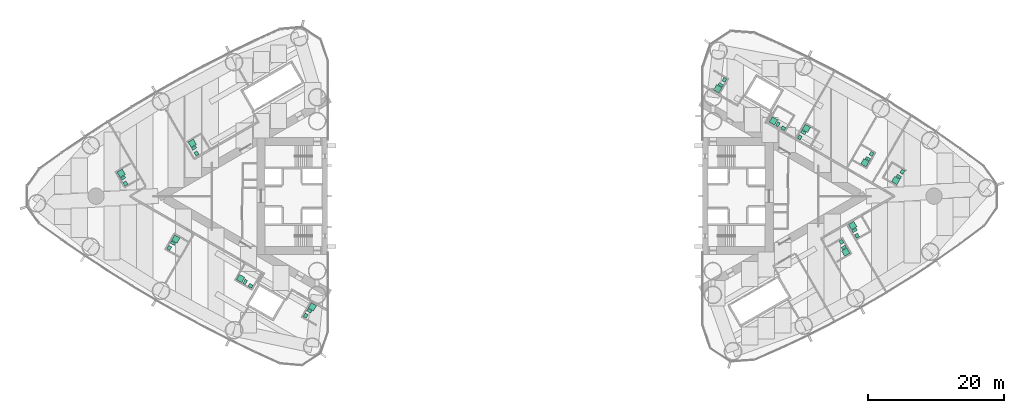
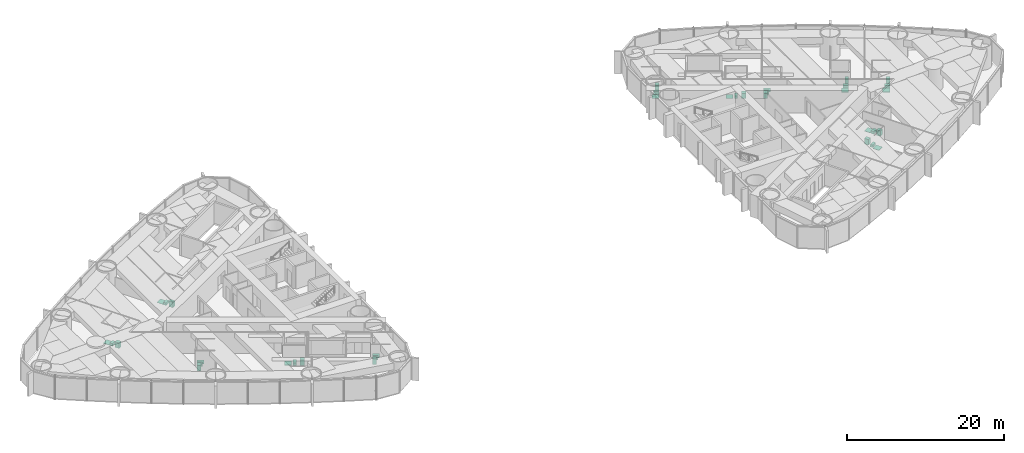
# One storey, part 18 of 18: 16 sanitary terminals.
"""IFC4 building model written with IfcOpenShell, lengths in metres."""

from ifc_helpers import new_model, si_unit, direction, frame, origin, origin_2d, place, context, subcontext, project, spatial, rectangle, extrude, material, type_object, element, save


model = new_model("IFC4")

# Units and contexts
model_context = context("Model", 3, precision=1e-05, world=origin(), true_north=direction((0.0, 1.0)))
body_context = subcontext(model_context, "Body", "Model", "MODEL_VIEW")
ifc_project = project(units=[si_unit("LENGTHUNIT", "METRE"), si_unit("AREAUNIT", "SQUARE_METRE"), si_unit("VOLUMEUNIT", "CUBIC_METRE"), si_unit("PLANEANGLEUNIT", "RADIAN"), si_unit("MASSUNIT", "GRAM", prefix="KILO")], contexts=[model_context])

# Site, building, storey
site_placement = place(None, origin())
site = spatial("IfcSite", under=ifc_project, at=site_placement, CompositionType="ELEMENT")
building_placement = place(site_placement, origin())
building = spatial("IfcBuilding", under=site, at=building_placement, Name="Lancet Gate Hotel", CompositionType="ELEMENT")
storey_placement = place(building_placement, frame((0.0, 0.0, 129.10009765625)))
storey = spatial("IfcBuildingStorey", under=building, at=storey_placement, Name="L34", CompositionType="ELEMENT", Elevation=129.10009765625)

# Sanitary terminals
ifc_material_1 = material(Name="Vitreous china sanitary ware")
sanitary_terminal_type_1 = type_object("IfcSanitaryTerminalType", Name="En-suite sanitary set (shower, WC, basin)", PredefinedType="USERDEFINED", material=ifc_material_1)
sanitary_terminal_1_placement = place(storey_placement, frame((-57.81689453125, 3.355224609375, 0.0), z_axis=(0.0, 0.0, 1.0), x_axis=(1.0, 0.0, 0.0)))
element("IfcSanitaryTerminal", 1, at=sanitary_terminal_1_placement, inside=storey, type_object=sanitary_terminal_type_1, Name="En-suite sanitary set (shower, WC, basin) 3404", ObjectType="EN-SUITE SANITARY SET", PredefinedType="USERDEFINED", context=body_context, shape_type="SweptSolid", body=[
    extrude(rectangle(XDim=0.89990234375, YDim=0.89990234375, at=origin_2d()), frame((0.0, 0.0, 0.0), z_axis=(0.0, 0.0, 1.0), x_axis=(-0.5, 0.866025403784, 0.0)), (0.0, 0.0, 1.0), 0.050048828125),
    extrude(rectangle(XDim=0.39990234375, YDim=0.699951171875, at=origin_2d()), frame((0.2783203125, -0.68212890625, 0.0), z_axis=(0.0, 0.0, 1.0), x_axis=(-0.5, 0.866025403784, 0.0)), (0.0, 0.0, 1.0), 0.39990234375),
    extrude(rectangle(XDim=0.60009765625, YDim=0.5, at=origin_2d()), frame((0.6318359375, -1.494384765625, 0.0), z_axis=(0.0, 0.0, 1.0), x_axis=(-0.5, 0.866025403784, 0.0)), (0.0, 0.0, 1.0), 0.85009765625),
])
sanitary_terminal_2_placement = place(storey_placement, frame((-49.785888671875, -6.305908203125, 0.0), z_axis=(0.0, 0.0, 1.0), x_axis=(1.0, 0.0, 0.0)))
element("IfcSanitaryTerminal", 2, at=sanitary_terminal_2_placement, inside=storey, type_object=sanitary_terminal_type_1, Name="En-suite sanitary set (shower, WC, basin) 3405", ObjectType="EN-SUITE SANITARY SET", PredefinedType="USERDEFINED", context=body_context, shape_type="SweptSolid", body=[
    extrude(rectangle(XDim=0.89990234375, YDim=0.89990234375, at=origin_2d()), frame((0.0, 0.0, 0.0), z_axis=(0.0, 0.0, 1.0), x_axis=(0.5, 0.866025403784, 0.0)), (0.0, 0.0, 1.0), 0.050048828125),
    extrude(rectangle(XDim=0.39990234375, YDim=0.699951171875, at=origin_2d()), frame((-0.45166015625, -0.582275390625, 0.0), z_axis=(0.0, 0.0, 1.0), x_axis=(0.5, 0.866025403784, 0.0)), (0.0, 0.0, 1.0), 0.39990234375),
    extrude(rectangle(XDim=0.60009765625, YDim=0.5, at=origin_2d()), frame((-0.978271484375, -1.29443359375, 0.0), z_axis=(0.0, 0.0, 1.0), x_axis=(0.5, 0.866025403784, 0.0)), (0.0, 0.0, 1.0), 0.85009765625),
])
sanitary_terminal_3_placement = place(storey_placement, frame((-47.39111328125, 7.758056640625, 0.0), z_axis=(0.0, 0.0, 1.0), x_axis=(1.0, 0.0, 0.0)))
element("IfcSanitaryTerminal", 3, at=sanitary_terminal_3_placement, inside=storey, type_object=sanitary_terminal_type_1, Name="En-suite sanitary set (shower, WC, basin) 3402", ObjectType="EN-SUITE SANITARY SET", PredefinedType="USERDEFINED", context=body_context, shape_type="SweptSolid", body=[
    extrude(rectangle(XDim=0.89990234375, YDim=0.89990234375, at=origin_2d()), frame((0.0, 0.0, 0.0), z_axis=(0.0, 0.0, 1.0), x_axis=(-0.5, 0.866025403784, 0.0)), (0.0, 0.0, 1.0), 0.050048828125),
    extrude(rectangle(XDim=0.39990234375, YDim=0.699951171875, at=origin_2d()), frame((0.2783203125, -0.682373046875, 0.0), z_axis=(0.0, 0.0, 1.0), x_axis=(-0.5, 0.866025403784, 0.0)), (0.0, 0.0, 1.0), 0.39990234375),
    extrude(rectangle(XDim=0.60009765625, YDim=0.5, at=origin_2d()), frame((0.6318359375, -1.494384765625, 0.0), z_axis=(0.0, 0.0, 1.0), x_axis=(-0.5, 0.866025403784, 0.0)), (0.0, 0.0, 1.0), 0.85009765625),
])
sanitary_terminal_4_placement = place(storey_placement, frame((-29.751708984375, -16.256103515625, 0.0), z_axis=(0.0, 0.0, 1.0), x_axis=(1.0, 0.0, 0.0)))
element("IfcSanitaryTerminal", 4, at=sanitary_terminal_4_placement, inside=storey, type_object=sanitary_terminal_type_1, Name="En-suite sanitary set (shower, WC, basin) 3408", ObjectType="EN-SUITE SANITARY SET", PredefinedType="USERDEFINED", context=body_context, shape_type="SweptSolid", body=[
    extrude(rectangle(XDim=0.89990234375, YDim=0.89990234375, at=origin_2d()), frame((0.0, 0.0, 0.0), z_axis=(0.0, 0.0, 1.0), x_axis=(0.5, 0.866025403784, 0.0)), (0.0, 0.0, 1.0), 0.050048828125),
    extrude(rectangle(XDim=0.39990234375, YDim=0.699951171875, at=origin_2d()), frame((-0.45166015625, -0.582275390625, 0.0), z_axis=(0.0, 0.0, 1.0), x_axis=(0.5, 0.866025403784, 0.0)), (0.0, 0.0, 1.0), 0.39990234375),
    extrude(rectangle(XDim=0.60009765625, YDim=0.5, at=origin_2d()), frame((-0.978271484375, -1.29443359375, 0.0), z_axis=(0.0, 0.0, 1.0), x_axis=(0.5, 0.866025403784, 0.0)), (0.0, 0.0, 1.0), 0.85009765625),
])
sanitary_terminal_5_placement = place(storey_placement, frame((48.534912109375, -8.214111328125, 0.0), z_axis=(0.0, 0.0, 1.0), x_axis=(1.0, 0.0, 0.0)))
element("IfcSanitaryTerminal", 5, at=sanitary_terminal_5_placement, inside=storey, type_object=sanitary_terminal_type_1, Name="En-suite sanitary set (shower, WC, basin) 3455", ObjectType="EN-SUITE SANITARY SET", PredefinedType="USERDEFINED", context=body_context, shape_type="SweptSolid", body=[
    extrude(rectangle(XDim=0.89990234375, YDim=0.89990234375, at=origin_2d()), frame((0.0, 0.0, 0.0), z_axis=(0.0, 0.0, 1.0), x_axis=(0.5, -0.866025403784, 0.0)), (0.0, 0.0, 1.0), 0.050048828125),
    extrude(rectangle(XDim=0.39990234375, YDim=0.699951171875, at=origin_2d()), frame((-0.2783203125, 0.68212890625, 0.0), z_axis=(0.0, 0.0, 1.0), x_axis=(0.5, -0.866025403784, 0.0)), (0.0, 0.0, 1.0), 0.39990234375),
    extrude(rectangle(XDim=0.60009765625, YDim=0.5, at=origin_2d()), frame((-0.6318359375, 1.494384765625, 0.0), z_axis=(0.0, 0.0, 1.0), x_axis=(0.5, -0.866025403784, 0.0)), (0.0, 0.0, 1.0), 0.85009765625),
])
sanitary_terminal_6_placement = place(storey_placement, frame((49.56201171875, -4.318603515625, 0.0), z_axis=(0.0, 0.0, 1.0), x_axis=(1.0, 0.0, 0.0)))
element("IfcSanitaryTerminal", 6, at=sanitary_terminal_6_placement, inside=storey, type_object=sanitary_terminal_type_1, Name="En-suite sanitary set (shower, WC, basin) 3456", ObjectType="EN-SUITE SANITARY SET", PredefinedType="USERDEFINED", context=body_context, shape_type="SweptSolid", body=[
    extrude(rectangle(XDim=0.89990234375, YDim=0.89990234375, at=origin_2d()), frame((0.0, 0.0, 0.0), z_axis=(0.0, 0.0, 1.0), x_axis=(-0.5, 0.866025403784, 0.0)), (0.0, 0.0, 1.0), 0.050048828125),
    extrude(rectangle(XDim=0.39990234375, YDim=0.699951171875, at=origin_2d()), frame((0.278564453125, -0.682373046875, 0.0), z_axis=(0.0, 0.0, 1.0), x_axis=(-0.5, 0.866025403784, 0.0)), (0.0, 0.0, 1.0), 0.39990234375),
    extrude(rectangle(XDim=0.60009765625, YDim=0.5, at=origin_2d()), frame((0.6318359375, -1.494384765625, 0.0), z_axis=(0.0, 0.0, 1.0), x_axis=(-0.5, 0.866025403784, 0.0)), (0.0, 0.0, 1.0), 0.85009765625),
])
sanitary_terminal_7_placement = place(storey_placement, frame((55.8798828125, 2.28759765625, 0.0), z_axis=(0.0, 0.0, 1.0), x_axis=(1.0, 0.0, 0.0)))
element("IfcSanitaryTerminal", 7, at=sanitary_terminal_7_placement, inside=storey, type_object=sanitary_terminal_type_1, Name="En-suite sanitary set (shower, WC, basin) 3458", ObjectType="EN-SUITE SANITARY SET", PredefinedType="USERDEFINED", context=body_context, shape_type="SweptSolid", body=[
    extrude(rectangle(XDim=0.89990234375, YDim=0.89990234375, at=origin_2d()), frame((0.0, 0.0, 0.0), z_axis=(0.0, 0.0, 1.0), x_axis=(-0.5, -0.866025403784, 0.0)), (0.0, 0.0, 1.0), 0.050048828125),
    extrude(rectangle(XDim=0.39990234375, YDim=0.699951171875, at=origin_2d()), frame((0.45166015625, 0.582275390625, 0.0), z_axis=(0.0, 0.0, 1.0), x_axis=(-0.5, -0.866025403784, 0.0)), (0.0, 0.0, 1.0), 0.39990234375),
    extrude(rectangle(XDim=0.60009765625, YDim=0.5, at=origin_2d()), frame((0.978271484375, 1.29443359375, 0.0), z_axis=(0.0, 0.0, 1.0), x_axis=(-0.5, -0.866025403784, 0.0)), (0.0, 0.0, 1.0), 0.85009765625),
])
sanitary_terminal_8_placement = place(storey_placement, frame((51.353271484375, 4.901123046875, 0.0), z_axis=(0.0, 0.0, 1.0), x_axis=(1.0, 0.0, 0.0)))
element("IfcSanitaryTerminal", 8, at=sanitary_terminal_8_placement, inside=storey, type_object=sanitary_terminal_type_1, Name="En-suite sanitary set (shower, WC, basin) 3459", ObjectType="EN-SUITE SANITARY SET", PredefinedType="USERDEFINED", context=body_context, shape_type="SweptSolid", body=[
    extrude(rectangle(XDim=0.89990234375, YDim=0.89990234375, at=origin_2d()), frame((0.0, 0.0, 0.0), z_axis=(0.0, 0.0, 1.0), x_axis=(-0.5, -0.866025403784, 0.0)), (0.0, 0.0, 1.0), 0.050048828125),
    extrude(rectangle(XDim=0.39990234375, YDim=0.699951171875, at=origin_2d()), frame((0.45166015625, 0.582275390625, 0.0), z_axis=(0.0, 0.0, 1.0), x_axis=(-0.5, -0.866025403784, 0.0)), (0.0, 0.0, 1.0), 0.39990234375),
    extrude(rectangle(XDim=0.60009765625, YDim=0.5, at=origin_2d()), frame((0.978271484375, 1.294189453125, 0.0), z_axis=(0.0, 0.0, 1.0), x_axis=(-0.5, -0.866025403784, 0.0)), (0.0, 0.0, 1.0), 0.85009765625),
])
sanitary_terminal_9_placement = place(storey_placement, frame((42.763427734375, 9.9296875, 0.0), z_axis=(0.0, 0.0, 1.0), x_axis=(1.0, 0.0, 0.0)))
element("IfcSanitaryTerminal", 9, at=sanitary_terminal_9_placement, inside=storey, type_object=sanitary_terminal_type_1, Name="En-suite sanitary set (shower, WC, basin) 3460", ObjectType="EN-SUITE SANITARY SET", PredefinedType="USERDEFINED", context=body_context, shape_type="SweptSolid", body=[
    extrude(rectangle(XDim=0.89990234375, YDim=0.89990234375, at=origin_2d()), frame((0.0, 0.0, 0.0), z_axis=(0.0, 0.0, 1.0), x_axis=(0.5, 0.866025403784, 0.0)), (0.0, 0.0, 1.0), 0.050048828125),
    extrude(rectangle(XDim=0.39990234375, YDim=0.699951171875, at=origin_2d()), frame((-0.45166015625, -0.582275390625, 0.0), z_axis=(0.0, 0.0, 1.0), x_axis=(0.5, 0.866025403784, 0.0)), (0.0, 0.0, 1.0), 0.39990234375),
    extrude(rectangle(XDim=0.60009765625, YDim=0.5, at=origin_2d()), frame((-0.978271484375, -1.294189453125, 0.0), z_axis=(0.0, 0.0, 1.0), x_axis=(0.5, 0.866025403784, 0.0)), (0.0, 0.0, 1.0), 0.85009765625),
])
sanitary_terminal_10_placement = place(storey_placement, frame((29.751708984375, 15.756103515625, 0.0), z_axis=(0.0, 0.0, 1.0), x_axis=(1.0, 0.0, 0.0)))
element("IfcSanitaryTerminal", 10, at=sanitary_terminal_10_placement, inside=storey, type_object=sanitary_terminal_type_1, Name="En-suite sanitary set (shower, WC, basin) 3464", ObjectType="EN-SUITE SANITARY SET", PredefinedType="USERDEFINED", context=body_context, shape_type="SweptSolid", body=[
    extrude(rectangle(XDim=0.89990234375, YDim=0.89990234375, at=origin_2d()), frame((0.0, 0.0, 0.0), z_axis=(0.0, 0.0, 1.0), x_axis=(-0.5, -0.866025403784, 0.0)), (0.0, 0.0, 1.0), 0.050048828125),
    extrude(rectangle(XDim=0.39990234375, YDim=0.699951171875, at=origin_2d()), frame((0.45166015625, 0.582275390625, 0.0), z_axis=(0.0, 0.0, 1.0), x_axis=(-0.5, -0.866025403784, 0.0)), (0.0, 0.0, 1.0), 0.39990234375),
    extrude(rectangle(XDim=0.60009765625, YDim=0.5, at=origin_2d()), frame((0.978271484375, 1.29443359375, 0.0), z_axis=(0.0, 0.0, 1.0), x_axis=(-0.5, -0.866025403784, 0.0)), (0.0, 0.0, 1.0), 0.85009765625),
])
ifc_material_2 = material(Name="Stone resin shower tray", Category="masonry")
sanitary_terminal_type_2 = type_object("IfcSanitaryTerminalType", Name="Shower tray 900", PredefinedType="SHOWER", material=ifc_material_2)
for number, where, z_axis, x_axis, name in (
    (11, (-40.2763671875, -12.0966796875, 0.0), (0.0, 0.0, 1.0), (-0.866025403784, 0.5, 0.0), "Shower tray 900 3407"),
    (12, (37.922607421875, 11.038818359375, 0.0), (0.0, 0.0, 1.0), (-0.866025403784, 0.5, 0.0), "Shower tray 900 3462"),
):
    element("IfcSanitaryTerminal", number, at=place(storey_placement, frame(where, z_axis=z_axis, x_axis=x_axis)), inside=storey, type_object=sanitary_terminal_type_2, Name=name, PredefinedType="SHOWER", context=body_context, shape_type="SweptSolid", body=[
        extrude(rectangle(XDim=0.89990234375, YDim=0.89990234375, at=origin_2d()), origin(), (0.0, 0.0, 1.0), 0.050048828125),
    ])
ifc_material_3 = material(Name="Vitreous china sanitary ware")
sanitary_terminal_type_3 = type_object("IfcSanitaryTerminalType", Name="Vanity basin 600", PredefinedType="WASHHANDBASIN", material=ifc_material_3)
for number, where, z_axis, x_axis, name in (
    (13, (-38.808837890625, -13.1748046875, -0.000244140625), (0.0, 0.0, 1.0), (-0.866025403784, 0.5, 0.0), "Vanity basin 600 3407"),
    (14, (39.389892578125, 9.960693359375, -0.000244140625), (0.0, 0.0, 1.0), (-0.866025403784, 0.5, 0.0), "Vanity basin 600 3462"),
):
    element("IfcSanitaryTerminal", number, at=place(storey_placement, frame(where, z_axis=z_axis, x_axis=x_axis)), inside=storey, type_object=sanitary_terminal_type_3, Name=name, PredefinedType="WASHHANDBASIN", context=body_context, shape_type="SweptSolid", body=[
        extrude(rectangle(XDim=0.60009765625, YDim=0.5, at=origin_2d()), origin(), (0.0, 0.0, 1.0), 0.85009765625),
    ])
ifc_material_4 = material(Name="Vitreous china sanitary ware")
sanitary_terminal_type_4 = type_object("IfcSanitaryTerminalType", Name="WC pan wall hung", PredefinedType="TOILETPAN", material=ifc_material_4)
for number, where, z_axis, x_axis, name in (
    (15, (-39.607421875, -12.59814453125, 0.0), (0.0, 0.0, 1.0), (-0.866025403784, 0.5, 0.0), "WC pan wall hung 3407"),
    (16, (38.59130859375, 10.537109375, 0.0), (0.0, 0.0, 1.0), (-0.866025403784, 0.5, 0.0), "WC pan wall hung 3462"),
):
    element("IfcSanitaryTerminal", number, at=place(storey_placement, frame(where, z_axis=z_axis, x_axis=x_axis)), inside=storey, type_object=sanitary_terminal_type_4, Name=name, PredefinedType="TOILETPAN", context=body_context, shape_type="SweptSolid", body=[
        extrude(rectangle(XDim=0.39990234375, YDim=0.699951171875, at=origin_2d()), origin(), (0.0, 0.0, 1.0), 0.39990234375),
    ])

save(model, "model.ifc")
